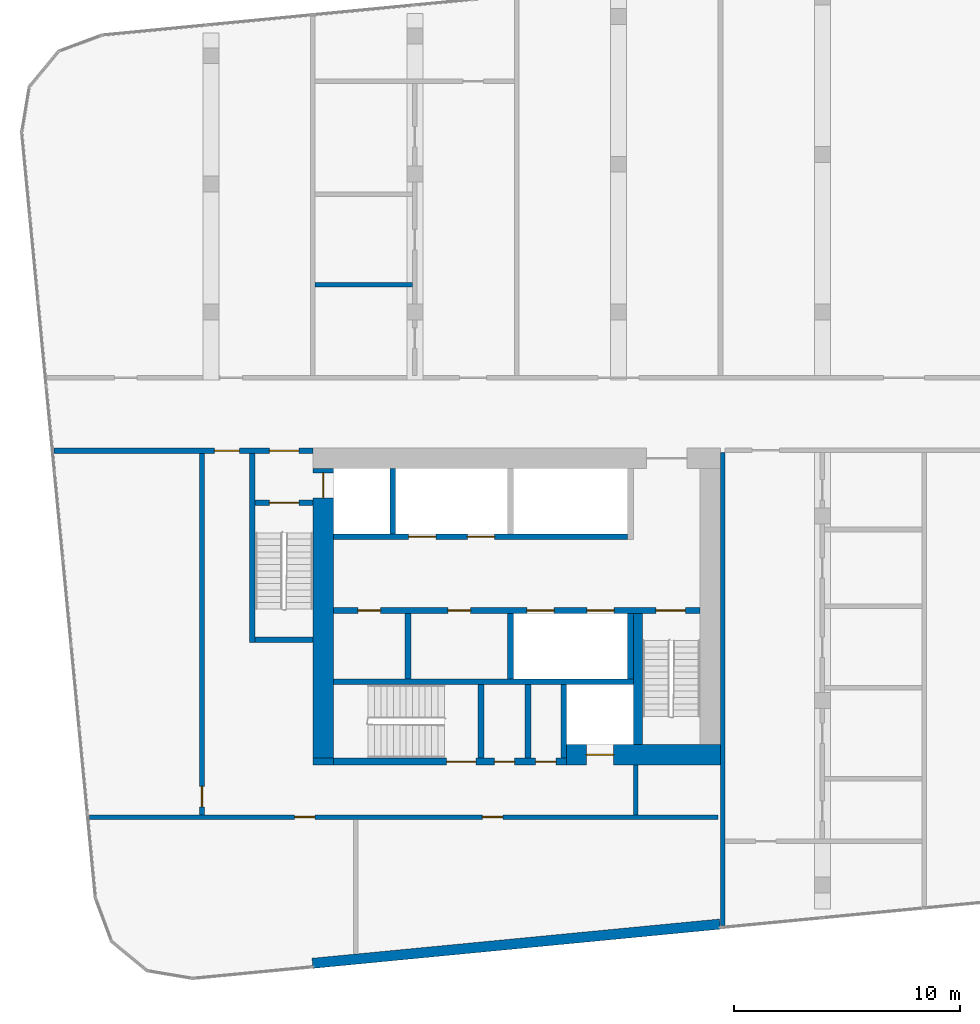
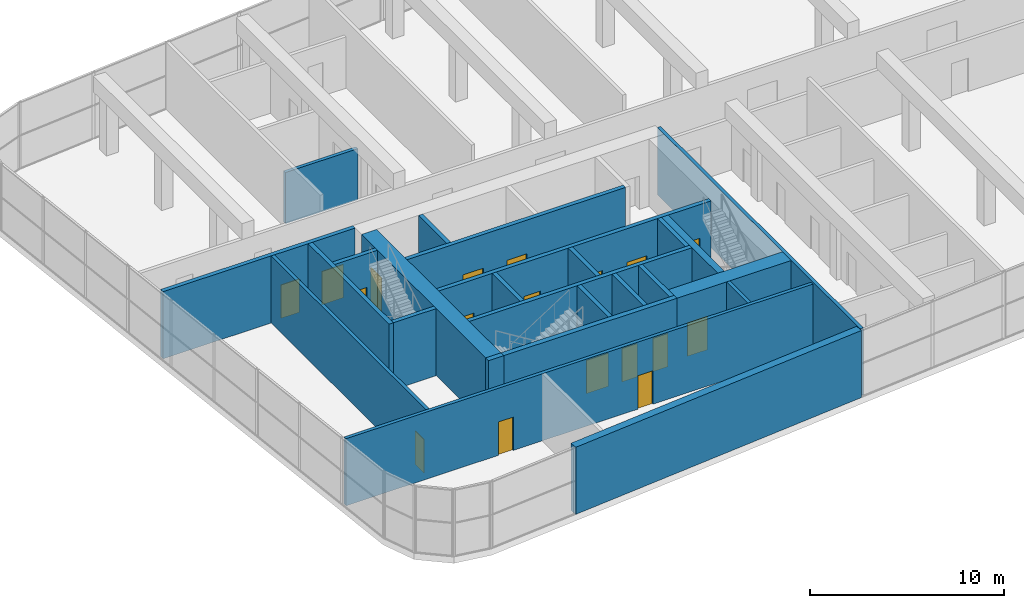
# One storey, part 13 of 21: 25 walls, 18 doors, 18 openings.
"""IFC4 building model written with IfcOpenShell, lengths in metres."""

from ifc_helpers import new_model, si_unit, direction, frame, frame_2d, origin, place, context, subcontext, project, spatial, rectangle, extrude, material, layer, layer_set, type_object, element, fill, save


model = new_model("IFC4")

# Units and contexts
model_context = context("Model", 3, precision=1e-05, world=origin(), true_north=direction((0.0, 1.0)))
body_context = subcontext(model_context, "Body", "Model", "MODEL_VIEW")
ifc_project = project(units=[si_unit("LENGTHUNIT", "METRE"), si_unit("AREAUNIT", "SQUARE_METRE"), si_unit("VOLUMEUNIT", "CUBIC_METRE"), si_unit("PLANEANGLEUNIT", "RADIAN"), si_unit("MASSUNIT", "GRAM", prefix="KILO")], contexts=[model_context])

# Site, building, storey
site_placement = place(None, origin())
site = spatial("IfcSite", under=ifc_project, at=site_placement, CompositionType="ELEMENT")
building_placement = place(site_placement, origin())
building = spatial("IfcBuilding", under=site, at=building_placement, Name="Kajstack Hotel Tower", CompositionType="ELEMENT")
storey_placement = place(building_placement, frame((0.0, 0.0, 162.39990234375)))
storey = spatial("IfcBuildingStorey", under=building, at=storey_placement, Name="L37", CompositionType="ELEMENT", Elevation=162.39990234375)

# Wall, opening, door
ifc_material_1 = material(Name="Concrete C60/75", Category="concrete")
ifc_layer_1 = layer(ifc_material_1, 0.89990234375)
ifc_layer_set_1 = layer_set([ifc_layer_1], Name="Core wall 900")
wall_type_1 = type_object("IfcWallType", Name="Core wall 900", PredefinedType="SHEAR", material=ifc_layer_set_1)
wall_1_placement = place(storey_placement, frame((-20.300048828125, -15.050048828125, 0.0), z_axis=(0.0, 0.0, 1.0), x_axis=(1.0, 0.0, 0.0)))
wall_1 = element("IfcWall", 1, at=wall_1_placement, inside=storey, type_object=wall_type_1, Name="Core wall W RS", PredefinedType="SHEAR", context=body_context, shape_type="SweptSolid", body=[
    extrude(rectangle(XDim=6.800048828125, YDim=0.89990234375, at=frame_2d((3.39990234375, 0.0))), origin(), (0.0, 0.0, 1.0), 4.22021484375),
])
opening_1_placement = place(wall_1_placement, frame((0.875, 0.0, 0.0)))
opening_1 = element("IfcOpeningElement", 2, at=opening_1_placement, cuts=wall_1, Name="Opening LD-SV1", PredefinedType="OPENING", context=body_context, shape_type="SweptSolid", body=[
    extrude(rectangle(XDim=1.199951171875, YDim=2.10009765625, at=frame_2d((0.60009765625, 1.050048828125))), frame((0.0, 0.4599609375, 0.0), z_axis=(0.0, -1.0, 0.0), x_axis=(1.0, 0.0, 0.0)), (0.0, 0.0, 1.0), 0.919921875),
])
ifc_material_2 = material(Name="Stainless steel", Category="steel")
door_type_1 = type_object("IfcDoorType", Name="Lift landing door 1200", OperationType="SLIDING_TO_LEFT", PredefinedType="DOOR", material=ifc_material_2)
door_1_placement = place(opening_1_placement, origin())
door_1 = element("IfcDoor", 3, at=door_1_placement, inside=storey, type_object=door_type_1, Name="Landing door SV1", OperationType="SLIDING_TO_LEFT", OverallHeight=2.10009765625, OverallWidth=1.199951171875, PredefinedType="DOOR", context=body_context, shape_type="SweptSolid", body=[
    extrude(rectangle(XDim=1.199951171875, YDim=2.10009765625, at=frame_2d((0.60009765625, 1.050048828125))), frame((0.0, 0.02490234375, 0.0), z_axis=(0.0, -1.0, 0.0), x_axis=(1.0, 0.0, 0.0)), (0.0, 0.0, 1.0), 0.050048828125),
])
fill(opening_1, door_1)

# Wall
wall_2_placement = place(storey_placement, frame((-31.5, -15.35009765625, 0.0), z_axis=(0.0, 0.0, 1.0), x_axis=(1.0, 0.0, 0.0)))
element("IfcWall", 4, at=wall_2_placement, inside=storey, type_object=wall_type_1, Name="Core wall W RSW", PredefinedType="SHEAR", context=body_context, shape_type="SweptSolid", body=[
    extrude(rectangle(XDim=0.89990234375, YDim=0.300048828125, at=frame_2d((0.449951171875, 0.0))), origin(), (0.0, 0.0, 1.0), 4.22021484375),
])

# Wall, opening, door
wall_3_placement = place(storey_placement, frame((-31.050048828125, -15.199951171875, 0.0), z_axis=(0.0, 0.0, 1.0), x_axis=(0.0, 1.0, 0.0)))
wall_3 = element("IfcWall", 5, at=wall_3_placement, inside=storey, type_object=wall_type_1, Name="Core wall W RW", PredefinedType="SHEAR", context=body_context, shape_type="SweptSolid", body=[
    extrude(rectangle(XDim=12.800048828125, YDim=0.89990234375, at=frame_2d((6.39990234375, 0.0))), origin(), (0.0, 0.0, 1.0), 4.22021484375),
])
opening_2_placement = place(wall_3_placement, frame((11.5, 0.0, 0.0)))
opening_2 = element("IfcOpeningElement", 6, at=opening_2_placement, cuts=wall_3, Name="Opening LD-FF1", PredefinedType="OPENING", context=body_context, shape_type="SweptSolid", body=[
    extrude(rectangle(XDim=1.10009765625, YDim=2.10009765625, at=frame_2d((0.550048828125, 1.050048828125))), frame((0.0, 0.4599609375, 0.0), z_axis=(0.0, -1.0, 0.0), x_axis=(1.0, 0.0, 0.0)), (0.0, 0.0, 1.0), 0.919921875),
])
door_type_2 = type_object("IfcDoorType", Name="Fire-fighting lift landing door 1100", OperationType="SLIDING_TO_LEFT", PredefinedType="DOOR", material=ifc_material_2)
door_2_placement = place(opening_2_placement, origin())
door_2 = element("IfcDoor", 7, at=door_2_placement, inside=storey, type_object=door_type_2, Name="Landing door FF1", OperationType="SLIDING_TO_RIGHT", OverallHeight=2.10009765625, OverallWidth=1.10009765625, PredefinedType="DOOR", context=body_context, shape_type="SweptSolid", body=[
    extrude(rectangle(XDim=1.10009765625, YDim=2.10009765625, at=frame_2d((0.550048828125, 1.050048828125))), frame((0.0, 0.02490234375, 0.0), z_axis=(0.0, -1.0, 0.0), x_axis=(1.0, 0.0, 0.0)), (0.0, 0.0, 1.0), 0.050048828125),
])
fill(opening_2, door_2)

# Walls
ifc_material_3 = material(Name="Concrete C40/50", Category="concrete")
ifc_layer_2 = layer(ifc_material_3, 0.449951171875)
ifc_layer_set_2 = layer_set([ifc_layer_2], Name="EW-CORE")
wall_type_2 = type_object("IfcWallType", Name="EW-CORE", PredefinedType="SOLIDWALL", material=ifc_layer_set_2)
wall_4_placement = place(storey_placement, frame((-31.521484375, -24.26171875, 0.0), z_axis=(0.0, 0.0, 1.0), x_axis=(0.995396454615, 0.095843091245, 0.0)))
element("IfcWall", 8, at=wall_4_placement, inside=storey, type_object=wall_type_2, Name="E-wall-L37-04-01", PredefinedType="SOLIDWALL", context=body_context, shape_type="SweptSolid", body=[
    extrude(rectangle(XDim=18.083251953125, YDim=0.449951171875, at=frame_2d((9.04150390625, 0.0))), origin(), (0.0, 0.0, 1.0), 4.22021484375),
])
ifc_material_4 = material(Name="Concrete C50/60", Category="concrete")
ifc_layer_3 = layer(ifc_material_4, 0.300048828125)
ifc_layer_set_3 = layer_set([ifc_layer_3], Name="Hoistway divider wall 300")
wall_type_3 = type_object("IfcWallType", Name="Hoistway divider wall 300", PredefinedType="SHEAR", material=ifc_layer_set_3)
wall_5_placement = place(storey_placement, frame((-22.77490234375, -11.699951171875, 0.0), z_axis=(0.0, 0.0, 1.0), x_axis=(0.0, 1.0, 0.0)))
element("IfcWall", 9, at=wall_5_placement, inside=storey, type_object=wall_type_3, Name="Core wall W BP2", PredefinedType="SHEAR", context=body_context, shape_type="SweptSolid", body=[
    extrude(rectangle(XDim=2.89990234375, YDim=0.25, at=frame_2d((1.449951171875, 0.0))), origin(), (0.0, 0.0, 1.0), 4.22021484375),
])
ifc_material_5 = material(Name="Gypsum board on steel studs, mineral wool", Category="steel")
ifc_layer_4 = layer(ifc_material_5, 0.199951171875)
ifc_layer_set_4 = layer_set([ifc_layer_4], Name="Public partition 200")
wall_type_4 = type_object("IfcWallType", Name="Public partition 200", PredefinedType="PARTITIONING", material=ifc_layer_set_4)
wall_6_placement = place(storey_placement, frame((-31.39990234375, 5.699951171875, 0.0), z_axis=(0.0, 0.0, 1.0), x_axis=(1.0, 0.0, 0.0)))
element("IfcWall", 10, at=wall_6_placement, inside=storey, type_object=wall_type_4, Name="Partition C2wP0", PredefinedType="PARTITIONING", context=body_context, shape_type="SweptSolid", body=[
    extrude(rectangle(XDim=4.2998046875, YDim=0.199951171875, at=frame_2d((2.14990234375, 0.0))), origin(), (0.0, 0.0, 1.0), 3.22021484375),
])
wall_7_placement = place(storey_placement, frame((-13.39990234375, -22.59228515625, 0.0), z_axis=(0.0, 0.0, 1.0), x_axis=(0.0, 1.0, 0.0)))
element("IfcWall", 11, at=wall_7_placement, inside=storey, type_object=wall_type_4, Name="Partition SEW", PredefinedType="PARTITIONING", context=body_context, shape_type="SweptSolid", body=[
    extrude(rectangle(XDim=20.892333984375, YDim=0.199951171875, at=frame_2d((10.4462890625, 0.0))), origin(), (0.0, 0.0, 1.0), 4.22021484375),
])
ifc_material_6 = material(Name="Concrete block masonry", Category="masonry")
ifc_layer_5 = layer(ifc_material_6, 0.25)
ifc_layer_set_5 = layer_set([ifc_layer_5], Name="Riser partition 250")
wall_type_5 = type_object("IfcWallType", Name="Riser partition 250", PredefinedType="PARTITIONING", material=ifc_layer_set_5)
wall_8_placement = place(storey_placement, frame((-27.300048828125, -11.699951171875, 0.0), z_axis=(0.0, 0.0, 1.0), x_axis=(0.0, 1.0, 0.0)))
element("IfcWall", 12, at=wall_8_placement, inside=storey, type_object=wall_type_5, Name="Partition W BF0", PredefinedType="PARTITIONING", context=body_context, shape_type="SweptSolid", body=[
    extrude(rectangle(XDim=2.89990234375, YDim=0.25, at=frame_2d((1.449951171875, 0.0))), origin(), (0.0, 0.0, 1.0), 4.22021484375),
])
wall_9_placement = place(storey_placement, frame((-22.0, -15.199951171875, 0.0), z_axis=(0.0, 0.0, 1.0), x_axis=(0.0, 1.0, 0.0)))
element("IfcWall", 13, at=wall_9_placement, inside=storey, type_object=wall_type_5, Name="Partition W SZ0", PredefinedType="PARTITIONING", context=body_context, shape_type="SweptSolid", body=[
    extrude(rectangle(XDim=3.25, YDim=0.25, at=frame_2d((1.625, 0.0))), origin(), (0.0, 0.0, 1.0), 4.22021484375),
])

# Wall, openings, doors
ifc_layer_6 = layer(ifc_material_5, 0.199951171875)
ifc_layer_set_6 = layer_set([ifc_layer_6], Name="Service partition 200")
wall_type_6 = type_object("IfcWallType", Name="Service partition 200", PredefinedType="PARTITIONING", material=ifc_layer_set_6)
wall_10_placement = place(storey_placement, frame((-42.932861328125, -1.625, 0.0), z_axis=(0.0, 0.0, 1.0), x_axis=(1.0, 0.0, 0.0)))
wall_10 = element("IfcWall", 14, at=wall_10_placement, inside=storey, type_object=wall_type_6, Name="Partition W SN", PredefinedType="PARTITIONING", context=body_context, shape_type="SweptSolid", body=[
    extrude(rectangle(XDim=11.432861328125, YDim=0.25, at=frame_2d((5.71630859375, 0.0))), origin(), (0.0, 0.0, 1.0), 4.22021484375),
])
opening_3_placement = place(wall_10_placement, frame((9.5078125, 0.0, 0.0)))
opening_3 = element("IfcOpeningElement", 15, at=opening_3_placement, cuts=wall_10, Name="Opening 37W08", PredefinedType="OPENING", context=body_context, shape_type="SweptSolid", body=[
    extrude(rectangle(XDim=1.300048828125, YDim=2.10009765625, at=frame_2d((0.64990234375, 1.050048828125))), frame((0.0, 0.135009765625, 0.0), z_axis=(0.0, -1.0, 0.0), x_axis=(1.0, 0.0, 0.0)), (0.0, 0.0, 1.0), 0.27001953125),
])
opening_4_placement = place(wall_10_placement, frame((7.0830078125, 0.0, 0.0)))
opening_4 = element("IfcOpeningElement", 16, at=opening_4_placement, cuts=wall_10, Name="Opening 37W10", PredefinedType="OPENING", context=body_context, shape_type="SweptSolid", body=[
    extrude(rectangle(XDim=1.10009765625, YDim=2.10009765625, at=frame_2d((0.550048828125, 1.050048828125))), frame((0.0, 0.135009765625, 0.0), z_axis=(0.0, -1.0, 0.0), x_axis=(1.0, 0.0, 0.0)), (0.0, 0.0, 1.0), 0.27001953125),
])
ifc_material_7 = material(Name="Steel leaf, fire-rated", Category="steel")
door_type_3 = type_object("IfcDoorType", Name="Fire lobby door 1300", OperationType="SINGLE_SWING_LEFT", PredefinedType="DOOR", material=ifc_material_7)
door_3_placement = place(opening_3_placement, origin())
door_3 = element("IfcDoor", 17, at=door_3_placement, inside=storey, type_object=door_type_3, Name="Door 37W08", OperationType="SINGLE_SWING_RIGHT", OverallHeight=2.10009765625, OverallWidth=1.300048828125, PredefinedType="DOOR", context=body_context, shape_type="SweptSolid", body=[
    extrude(rectangle(XDim=1.300048828125, YDim=2.10009765625, at=frame_2d((0.64990234375, 1.050048828125))), frame((0.0, 0.02490234375, 0.0), z_axis=(0.0, -1.0, 0.0), x_axis=(1.0, 0.0, 0.0)), (0.0, 0.0, 1.0), 0.050048828125),
])
fill(opening_3, door_3)
ifc_material_8 = material(Name="Timber leaf, fire-rated", Category="wood")
door_type_4 = type_object("IfcDoorType", Name="Service corridor door 1100", OperationType="SINGLE_SWING_LEFT", PredefinedType="DOOR", material=ifc_material_8)
door_4_placement = place(opening_4_placement, origin())
door_4 = element("IfcDoor", 18, at=door_4_placement, inside=storey, type_object=door_type_4, Name="Door 37W10", OperationType="SINGLE_SWING_RIGHT", OverallHeight=2.10009765625, OverallWidth=1.10009765625, PredefinedType="DOOR", context=body_context, shape_type="SweptSolid", body=[
    extrude(rectangle(XDim=1.10009765625, YDim=2.10009765625, at=frame_2d((0.550048828125, 1.050048828125))), frame((0.0, 0.02490234375, 0.0), z_axis=(0.0, -1.0, 0.0), x_axis=(1.0, 0.0, 0.0)), (0.0, 0.0, 1.0), 0.050048828125),
])
fill(opening_4, door_4)

# Wall
wall_11_placement = place(storey_placement, frame((-17.25, -17.699951171875, 0.0), z_axis=(0.0, 0.0, 1.0), x_axis=(0.0, 1.0, 0.0)))
element("IfcWall", 19, at=wall_11_placement, inside=storey, type_object=wall_type_6, Name="Partition W SCE", PredefinedType="PARTITIONING", context=body_context, shape_type="SweptSolid", body=[
    extrude(rectangle(XDim=2.199951171875, YDim=0.199951171875, at=frame_2d((1.10009765625, 0.0))), origin(), (0.0, 0.0, 1.0), 4.22021484375),
])

# Wall, opening, door
wall_12_placement = place(storey_placement, frame((-36.39990234375, -17.699951171875, 0.0), z_axis=(0.0, 0.0, 1.0), x_axis=(0.0, 1.0, 0.0)))
wall_12 = element("IfcWall", 20, at=wall_12_placement, inside=storey, type_object=wall_type_6, Name="Partition W WRE", PredefinedType="PARTITIONING", context=body_context, shape_type="SweptSolid", body=[
    extrude(rectangle(XDim=15.949951171875, YDim=0.199951171875, at=frame_2d((7.97509765625, 0.0))), origin(), (0.0, 0.0, 1.0), 4.22021484375),
])
opening_5_placement = place(wall_12_placement, frame((0.35009765625, 0.0, 0.0)))
opening_5 = element("IfcOpeningElement", 21, at=opening_5_placement, cuts=wall_12, Name="Opening 37W19", PredefinedType="OPENING", context=body_context, shape_type="SweptSolid", body=[
    extrude(rectangle(XDim=0.89990234375, YDim=2.10009765625, at=frame_2d((0.449951171875, 1.050048828125))), frame((0.0, 0.10986328125, 0.0), z_axis=(0.0, -1.0, 0.0), x_axis=(1.0, 0.0, 0.0)), (0.0, 0.0, 1.0), 0.219970703125),
])
door_type_5 = type_object("IfcDoorType", Name="Service door 900", OperationType="SINGLE_SWING_LEFT", PredefinedType="DOOR", material=ifc_material_8)
door_5_placement = place(opening_5_placement, origin())
door_5 = element("IfcDoor", 22, at=door_5_placement, inside=storey, type_object=door_type_5, Name="Door 37W19", OperationType="SINGLE_SWING_LEFT", OverallHeight=2.10009765625, OverallWidth=0.89990234375, PredefinedType="DOOR", context=body_context, shape_type="SweptSolid", body=[
    extrude(rectangle(XDim=0.89990234375, YDim=2.10009765625, at=frame_2d((0.449951171875, 1.050048828125))), frame((0.0, 0.02490234375, 0.0), z_axis=(0.0, -1.0, 0.0), x_axis=(1.0, 0.0, 0.0)), (0.0, 0.0, 1.0), 0.050048828125),
])
fill(opening_5, door_5)

# Wall, openings, doors
wall_13_placement = place(storey_placement, frame((-41.37548828125, -17.800048828125, 0.0), z_axis=(0.0, 0.0, 1.0), x_axis=(1.0, 0.0, 0.0)))
wall_13 = element("IfcWall", 23, at=wall_13_placement, inside=storey, type_object=wall_type_6, Name="Partition W SLN", PredefinedType="PARTITIONING", context=body_context, shape_type="SweptSolid", body=[
    extrude(rectangle(XDim=27.775390625, YDim=0.199951171875, at=frame_2d((13.8876953125, 0.0))), origin(), (0.0, 0.0, 1.0), 4.22021484375),
])
opening_6_placement = place(wall_13_placement, frame((9.06298828125, 0.0, 0.0)))
opening_6 = element("IfcOpeningElement", 24, at=opening_6_placement, cuts=wall_13, Name="Opening 37W17", PredefinedType="OPENING", context=body_context, shape_type="SweptSolid", body=[
    extrude(rectangle(XDim=0.89990234375, YDim=2.10009765625, at=frame_2d((0.449951171875, 1.050048828125))), frame((0.0, 0.10986328125, 0.0), z_axis=(0.0, -1.0, 0.0), x_axis=(1.0, 0.0, 0.0)), (0.0, 0.0, 1.0), 0.219970703125),
])
opening_7_placement = place(wall_13_placement, frame((17.363037109375, 0.0, 0.0)))
opening_7 = element("IfcOpeningElement", 25, at=opening_7_placement, cuts=wall_13, Name="Opening 37W18", PredefinedType="OPENING", context=body_context, shape_type="SweptSolid", body=[
    extrude(rectangle(XDim=0.89990234375, YDim=2.10009765625, at=frame_2d((0.449951171875, 1.050048828125))), frame((0.0, 0.10986328125, 0.0), z_axis=(0.0, -1.0, 0.0), x_axis=(1.0, 0.0, 0.0)), (0.0, 0.0, 1.0), 0.219970703125),
])
door_6_placement = place(opening_6_placement, origin())
door_6 = element("IfcDoor", 26, at=door_6_placement, inside=storey, type_object=door_type_5, Name="Door 37W17", OperationType="SINGLE_SWING_RIGHT", OverallHeight=2.10009765625, OverallWidth=0.89990234375, PredefinedType="DOOR", context=body_context, shape_type="SweptSolid", body=[
    extrude(rectangle(XDim=0.89990234375, YDim=2.10009765625, at=frame_2d((0.449951171875, 1.050048828125))), frame((0.0, 0.02490234375, 0.0), z_axis=(0.0, -1.0, 0.0), x_axis=(1.0, 0.0, 0.0)), (0.0, 0.0, 1.0), 0.050048828125),
])
fill(opening_6, door_6)
door_7_placement = place(opening_7_placement, origin())
door_7 = element("IfcDoor", 27, at=door_7_placement, inside=storey, type_object=door_type_5, Name="Door 37W18", OperationType="SINGLE_SWING_RIGHT", OverallHeight=2.10009765625, OverallWidth=0.89990234375, PredefinedType="DOOR", context=body_context, shape_type="SweptSolid", body=[
    extrude(rectangle(XDim=0.89990234375, YDim=2.10009765625, at=frame_2d((0.449951171875, 1.050048828125))), frame((0.0, 0.02490234375, 0.0), z_axis=(0.0, -1.0, 0.0), x_axis=(1.0, 0.0, 0.0)), (0.0, 0.0, 1.0), 0.050048828125),
])
fill(opening_7, door_7)

ifc_layer_7 = layer(ifc_material_4, 0.25)
ifc_layer_set_7 = layer_set([ifc_layer_7], Name="Shaft wall 250")
wall_type_7 = type_object("IfcWallType", Name="Shaft wall 250", PredefinedType="SHEAR", material=ifc_layer_set_7)
wall_14_placement = place(storey_placement, frame((-30.60009765625, -15.35009765625, 0.0), z_axis=(0.0, 0.0, 1.0), x_axis=(1.0, 0.0, 0.0)))
wall_14 = element("IfcWall", 28, at=wall_14_placement, inside=storey, type_object=wall_type_7, Name="Core wall W RSS", PredefinedType="SHEAR", context=body_context, shape_type="SweptSolid", body=[
    extrude(rectangle(XDim=10.300048828125, YDim=0.300048828125, at=frame_2d((5.14990234375, 0.0))), origin(), (0.0, 0.0, 1.0), 4.22021484375),
])
opening_8_placement = place(wall_14_placement, frame((5.0, 0.0, 0.0)))
opening_8 = element("IfcOpeningElement", 29, at=opening_8_placement, cuts=wall_14, Name="Opening 37W12", PredefinedType="OPENING", context=body_context, shape_type="SweptSolid", body=[
    extrude(rectangle(XDim=1.300048828125, YDim=2.10009765625, at=frame_2d((0.64990234375, 1.050048828125))), frame((0.0, 0.159912109375, 0.0), z_axis=(0.0, -1.0, 0.0), x_axis=(1.0, 0.0, 0.0)), (0.0, 0.0, 1.0), 0.320068359375),
])
opening_9_placement = place(wall_14_placement, frame((7.112548828125, 0.0, 0.0)))
opening_9 = element("IfcOpeningElement", 30, at=opening_9_placement, cuts=wall_14, Name="Opening 37W13", PredefinedType="OPENING", context=body_context, shape_type="SweptSolid", body=[
    extrude(rectangle(XDim=0.89990234375, YDim=2.10009765625, at=frame_2d((0.449951171875, 1.050048828125))), frame((0.0, 0.159912109375, 0.0), z_axis=(0.0, -1.0, 0.0), x_axis=(1.0, 0.0, 0.0)), (0.0, 0.0, 1.0), 0.320068359375),
])
opening_10_placement = place(wall_14_placement, frame((8.9375, 0.0, 0.0)))
opening_10 = element("IfcOpeningElement", 31, at=opening_10_placement, cuts=wall_14, Name="Opening 37W14", PredefinedType="OPENING", context=body_context, shape_type="SweptSolid", body=[
    extrude(rectangle(XDim=0.89990234375, YDim=2.10009765625, at=frame_2d((0.449951171875, 1.050048828125))), frame((0.0, 0.159912109375, 0.0), z_axis=(0.0, -1.0, 0.0), x_axis=(1.0, 0.0, 0.0)), (0.0, 0.0, 1.0), 0.320068359375),
])
door_8_placement = place(opening_9_placement, origin())
door_8 = element("IfcDoor", 32, at=door_8_placement, inside=storey, type_object=door_type_5, Name="Door 37W13", OperationType="SINGLE_SWING_LEFT", OverallHeight=2.10009765625, OverallWidth=0.89990234375, PredefinedType="DOOR", context=body_context, shape_type="SweptSolid", body=[
    extrude(rectangle(XDim=0.89990234375, YDim=2.10009765625, at=frame_2d((0.449951171875, 1.050048828125))), frame((0.0, 0.02490234375, 0.0), z_axis=(0.0, -1.0, 0.0), x_axis=(1.0, 0.0, 0.0)), (0.0, 0.0, 1.0), 0.050048828125),
])
fill(opening_9, door_8)
door_9_placement = place(opening_10_placement, origin())
door_9 = element("IfcDoor", 33, at=door_9_placement, inside=storey, type_object=door_type_5, Name="Door 37W14", OperationType="SINGLE_SWING_LEFT", OverallHeight=2.10009765625, OverallWidth=0.89990234375, PredefinedType="DOOR", context=body_context, shape_type="SweptSolid", body=[
    extrude(rectangle(XDim=0.89990234375, YDim=2.10009765625, at=frame_2d((0.449951171875, 1.050048828125))), frame((0.0, 0.02490234375, 0.0), z_axis=(0.0, -1.0, 0.0), x_axis=(1.0, 0.0, 0.0)), (0.0, 0.0, 1.0), 0.050048828125),
])
fill(opening_10, door_9)
door_type_6 = type_object("IfcDoorType", Name="Stair door 1300", OperationType="SINGLE_SWING_LEFT", PredefinedType="DOOR", material=ifc_material_7)
door_10_placement = place(opening_8_placement, origin())
door_10 = element("IfcDoor", 34, at=door_10_placement, inside=storey, type_object=door_type_6, Name="Door 37W12", OperationType="SINGLE_SWING_RIGHT", OverallHeight=2.10009765625, OverallWidth=1.300048828125, PredefinedType="DOOR", context=body_context, shape_type="SweptSolid", body=[
    extrude(rectangle(XDim=1.300048828125, YDim=2.10009765625, at=frame_2d((0.64990234375, 1.050048828125))), frame((0.0, 0.02490234375, 0.0), z_axis=(0.0, -1.0, 0.0), x_axis=(1.0, 0.0, 0.0)), (0.0, 0.0, 1.0), 0.050048828125),
])
fill(opening_8, door_10)

wall_15_placement = place(storey_placement, frame((-30.60009765625, -5.425048828125, 0.0), z_axis=(0.0, 0.0, 1.0), x_axis=(1.0, 0.0, 0.0)))
wall_15 = element("IfcWall", 35, at=wall_15_placement, inside=storey, type_object=wall_type_7, Name="Core wall W FA", PredefinedType="SHEAR", context=body_context, shape_type="SweptSolid", body=[
    extrude(rectangle(XDim=13.0, YDim=0.25, at=frame_2d((6.5, 0.0))), origin(), (0.0, 0.0, 1.0), 4.22021484375),
])
opening_11_placement = place(wall_15_placement, frame((3.324951171875, 0.0, 0.0)))
opening_11 = element("IfcOpeningElement", 36, at=opening_11_placement, cuts=wall_15, Name="Opening LD-MR3", PredefinedType="OPENING", context=body_context, shape_type="SweptSolid", body=[
    extrude(rectangle(XDim=1.199951171875, YDim=2.10009765625, at=frame_2d((0.60009765625, 1.050048828125))), frame((0.0, 0.135009765625, 0.0), z_axis=(0.0, -1.0, 0.0), x_axis=(1.0, 0.0, 0.0)), (0.0, 0.0, 1.0), 0.27001953125),
])
opening_12_placement = place(wall_15_placement, frame((5.925048828125, 0.0, 0.0)))
opening_12 = element("IfcOpeningElement", 37, at=opening_12_placement, cuts=wall_15, Name="Opening LD-MR4", PredefinedType="OPENING", context=body_context, shape_type="SweptSolid", body=[
    extrude(rectangle(XDim=1.199951171875, YDim=2.10009765625, at=frame_2d((0.60009765625, 1.050048828125))), frame((0.0, 0.135009765625, 0.0), z_axis=(0.0, -1.0, 0.0), x_axis=(1.0, 0.0, 0.0)), (0.0, 0.0, 1.0), 0.27001953125),
])
door_11_placement = place(opening_11_placement, origin())
door_11 = element("IfcDoor", 38, at=door_11_placement, inside=storey, type_object=door_type_1, Name="Landing door MR3", OperationType="SLIDING_TO_RIGHT", OverallHeight=2.10009765625, OverallWidth=1.199951171875, PredefinedType="DOOR", context=body_context, shape_type="SweptSolid", body=[
    extrude(rectangle(XDim=1.199951171875, YDim=2.10009765625, at=frame_2d((0.60009765625, 1.050048828125))), frame((0.0, 0.02490234375, 0.0), z_axis=(0.0, -1.0, 0.0), x_axis=(1.0, 0.0, 0.0)), (0.0, 0.0, 1.0), 0.050048828125),
])
fill(opening_11, door_11)
door_12_placement = place(opening_12_placement, origin())
door_12 = element("IfcDoor", 39, at=door_12_placement, inside=storey, type_object=door_type_1, Name="Landing door MR4", OperationType="SLIDING_TO_RIGHT", OverallHeight=2.10009765625, OverallWidth=1.199951171875, PredefinedType="DOOR", context=body_context, shape_type="SweptSolid", body=[
    extrude(rectangle(XDim=1.199951171875, YDim=2.10009765625, at=frame_2d((0.60009765625, 1.050048828125))), frame((0.0, 0.02490234375, 0.0), z_axis=(0.0, -1.0, 0.0), x_axis=(1.0, 0.0, 0.0)), (0.0, 0.0, 1.0), 0.050048828125),
])
fill(opening_12, door_12)

# Wall
wall_16_placement = place(storey_placement, frame((-27.97509765625, -5.300048828125, 0.0), z_axis=(0.0, 0.0, 1.0), x_axis=(0.0, 1.0, 0.0)))
element("IfcWall", 40, at=wall_16_placement, inside=storey, type_object=wall_type_7, Name="Core wall W AP0", PredefinedType="SHEAR", context=body_context, shape_type="SweptSolid", body=[
    extrude(rectangle(XDim=2.900146484375, YDim=0.25, at=frame_2d((1.4501953125, 0.0))), origin(), (0.0, 0.0, 1.0), 4.22021484375),
])

# Wall, openings, doors
wall_17_placement = place(storey_placement, frame((-30.60009765625, -8.675048828125, 0.0), z_axis=(0.0, 0.0, 1.0), x_axis=(1.0, 0.0, 0.0)))
wall_17 = element("IfcWall", 41, at=wall_17_placement, inside=storey, type_object=wall_type_7, Name="Core wall W FB", PredefinedType="SHEAR", context=body_context, shape_type="SweptSolid", body=[
    extrude(rectangle(XDim=16.2001953125, YDim=0.25, at=frame_2d((8.10009765625, 0.0))), origin(), (0.0, 0.0, 1.0), 4.22021484375),
])
opening_13_placement = place(wall_17_placement, frame((8.550048828125, 0.0, 0.0)))
opening_13 = element("IfcOpeningElement", 42, at=opening_13_placement, cuts=wall_17, Name="Opening LD-MR1", PredefinedType="OPENING", context=body_context, shape_type="SweptSolid", body=[
    extrude(rectangle(XDim=1.199951171875, YDim=2.10009765625, at=frame_2d((0.60009765625, 1.050048828125))), frame((0.0, 0.135009765625, 0.0), z_axis=(0.0, -1.0, 0.0), x_axis=(1.0, 0.0, 0.0)), (0.0, 0.0, 1.0), 0.27001953125),
])
opening_14_placement = place(wall_17_placement, frame((11.199951171875, 0.0, 0.0)))
opening_14 = element("IfcOpeningElement", 43, at=opening_14_placement, cuts=wall_17, Name="Opening LD-MR2", PredefinedType="OPENING", context=body_context, shape_type="SweptSolid", body=[
    extrude(rectangle(XDim=1.199951171875, YDim=2.10009765625, at=frame_2d((0.60009765625, 1.050048828125))), frame((0.0, 0.135009765625, 0.0), z_axis=(0.0, -1.0, 0.0), x_axis=(1.0, 0.0, 0.0)), (0.0, 0.0, 1.0), 0.27001953125),
])
opening_15_placement = place(wall_17_placement, frame((14.25, 0.0, 0.0)))
opening_15 = element("IfcOpeningElement", 44, at=opening_15_placement, cuts=wall_17, Name="Opening 37W11", PredefinedType="OPENING", context=body_context, shape_type="SweptSolid", body=[
    extrude(rectangle(XDim=1.300048828125, YDim=2.10009765625, at=frame_2d((0.64990234375, 1.050048828125))), frame((0.0, 0.135009765625, 0.0), z_axis=(0.0, -1.0, 0.0), x_axis=(1.0, 0.0, 0.0)), (0.0, 0.0, 1.0), 0.27001953125),
])
opening_16_placement = place(wall_17_placement, frame((1.08740234375, 0.0, 0.0)))
opening_16 = element("IfcOpeningElement", 45, at=opening_16_placement, cuts=wall_17, Name="Opening 37W15", PredefinedType="OPENING", context=body_context, shape_type="SweptSolid", body=[
    extrude(rectangle(XDim=1.0, YDim=2.10009765625, at=frame_2d((0.5, 1.050048828125))), frame((0.0, 0.135009765625, 0.0), z_axis=(0.0, -1.0, 0.0), x_axis=(1.0, 0.0, 0.0)), (0.0, 0.0, 1.0), 0.27001953125),
])
opening_17_placement = place(wall_17_placement, frame((5.0625, 0.0, 0.0)))
opening_17 = element("IfcOpeningElement", 46, at=opening_17_placement, cuts=wall_17, Name="Opening 37W16", PredefinedType="OPENING", context=body_context, shape_type="SweptSolid", body=[
    extrude(rectangle(XDim=1.0, YDim=2.10009765625, at=frame_2d((0.5, 1.050048828125))), frame((0.0, 0.135009765625, 0.0), z_axis=(0.0, -1.0, 0.0), x_axis=(1.0, 0.0, 0.0)), (0.0, 0.0, 1.0), 0.27001953125),
])
door_13_placement = place(opening_13_placement, origin())
door_13 = element("IfcDoor", 47, at=door_13_placement, inside=storey, type_object=door_type_1, Name="Landing door MR1", OperationType="SLIDING_TO_LEFT", OverallHeight=2.10009765625, OverallWidth=1.199951171875, PredefinedType="DOOR", context=body_context, shape_type="SweptSolid", body=[
    extrude(rectangle(XDim=1.199951171875, YDim=2.10009765625, at=frame_2d((0.60009765625, 1.050048828125))), frame((0.0, 0.02490234375, 0.0), z_axis=(0.0, -1.0, 0.0), x_axis=(1.0, 0.0, 0.0)), (0.0, 0.0, 1.0), 0.050048828125),
])
fill(opening_13, door_13)
door_14_placement = place(opening_14_placement, origin())
door_14 = element("IfcDoor", 48, at=door_14_placement, inside=storey, type_object=door_type_1, Name="Landing door MR2", OperationType="SLIDING_TO_RIGHT", OverallHeight=2.10009765625, OverallWidth=1.199951171875, PredefinedType="DOOR", context=body_context, shape_type="SweptSolid", body=[
    extrude(rectangle(XDim=1.199951171875, YDim=2.10009765625, at=frame_2d((0.60009765625, 1.050048828125))), frame((0.0, 0.02490234375, 0.0), z_axis=(0.0, -1.0, 0.0), x_axis=(1.0, 0.0, 0.0)), (0.0, 0.0, 1.0), 0.050048828125),
])
fill(opening_14, door_14)
door_type_7 = type_object("IfcDoorType", Name="Service room door 1000", OperationType="SINGLE_SWING_LEFT", PredefinedType="DOOR", material=ifc_material_8)
door_15_placement = place(opening_16_placement, origin())
door_15 = element("IfcDoor", 49, at=door_15_placement, inside=storey, type_object=door_type_7, Name="Door 37W15", OperationType="SINGLE_SWING_RIGHT", OverallHeight=2.10009765625, OverallWidth=1.0, PredefinedType="DOOR", context=body_context, shape_type="SweptSolid", body=[
    extrude(rectangle(XDim=1.0, YDim=2.10009765625, at=frame_2d((0.5, 1.050048828125))), frame((0.0, 0.02490234375, 0.0), z_axis=(0.0, -1.0, 0.0), x_axis=(1.0, 0.0, 0.0)), (0.0, 0.0, 1.0), 0.050048828125),
])
fill(opening_16, door_15)
door_16_placement = place(opening_17_placement, origin())
door_16 = element("IfcDoor", 50, at=door_16_placement, inside=storey, type_object=door_type_7, Name="Door 37W16", OperationType="SINGLE_SWING_RIGHT", OverallHeight=2.10009765625, OverallWidth=1.0, PredefinedType="DOOR", context=body_context, shape_type="SweptSolid", body=[
    extrude(rectangle(XDim=1.0, YDim=2.10009765625, at=frame_2d((0.5, 1.050048828125))), frame((0.0, 0.02490234375, 0.0), z_axis=(0.0, -1.0, 0.0), x_axis=(1.0, 0.0, 0.0)), (0.0, 0.0, 1.0), 0.050048828125),
])
fill(opening_17, door_16)
door_17_placement = place(opening_15_placement, origin())
door_17 = element("IfcDoor", 51, at=door_17_placement, inside=storey, type_object=door_type_6, Name="Door 37W11", OperationType="SINGLE_SWING_RIGHT", OverallHeight=2.10009765625, OverallWidth=1.300048828125, PredefinedType="DOOR", context=body_context, shape_type="SweptSolid", body=[
    extrude(rectangle(XDim=1.300048828125, YDim=2.10009765625, at=frame_2d((0.64990234375, 1.050048828125))), frame((0.0, 0.02490234375, 0.0), z_axis=(0.0, -1.0, 0.0), x_axis=(1.0, 0.0, 0.0)), (0.0, 0.0, 1.0), 0.050048828125),
])
fill(opening_15, door_17)

# Walls
wall_18_placement = place(storey_placement, frame((-30.60009765625, -11.824951171875, 0.0), z_axis=(0.0, 0.0, 1.0), x_axis=(1.0, 0.0, 0.0)))
element("IfcWall", 52, at=wall_18_placement, inside=storey, type_object=wall_type_7, Name="Core wall W RB", PredefinedType="SHEAR", context=body_context, shape_type="SweptSolid", body=[
    extrude(rectangle(XDim=13.25, YDim=0.25, at=frame_2d((6.625, 0.0))), origin(), (0.0, 0.0, 1.0), 4.22021484375),
])
wall_19_placement = place(storey_placement, frame((-17.47509765625, -11.699951171875, 0.0), z_axis=(0.0, 0.0, 1.0), x_axis=(0.0, 1.0, 0.0)))
element("IfcWall", 53, at=wall_19_placement, inside=storey, type_object=wall_type_7, Name="Core wall W BE", PredefinedType="SHEAR", context=body_context, shape_type="SweptSolid", body=[
    extrude(rectangle(XDim=2.89990234375, YDim=0.25, at=frame_2d((1.449951171875, 0.0))), origin(), (0.0, 0.0, 1.0), 4.22021484375),
])
wall_20_placement = place(storey_placement, frame((-20.425048828125, -15.199951171875, 0.0), z_axis=(0.0, 0.0, 1.0), x_axis=(0.0, 1.0, 0.0)))
element("IfcWall", 54, at=wall_20_placement, inside=storey, type_object=wall_type_7, Name="Core wall W SVW", PredefinedType="SHEAR", context=body_context, shape_type="SweptSolid", body=[
    extrude(rectangle(XDim=3.25, YDim=0.25, at=frame_2d((1.625, 0.0))), origin(), (0.0, 0.0, 1.0), 4.22021484375),
])

# Wall, opening, door
ifc_layer_8 = layer(ifc_material_3, 0.25)
ifc_layer_set_8 = layer_set([ifc_layer_8], Name="Stair enclosure wall 250")
wall_type_8 = type_object("IfcWallType", Name="Stair enclosure wall 250", PredefinedType="SHEAR", material=ifc_layer_set_8)
wall_21_placement = place(storey_placement, frame((-34.050048828125, -3.925048828125, 0.0), z_axis=(0.0, 0.0, 1.0), x_axis=(1.0, 0.0, 0.0)))
wall_21 = element("IfcWall", 55, at=wall_21_placement, inside=storey, type_object=wall_type_8, Name="Core wall W W1N", PredefinedType="SHEAR", context=body_context, shape_type="SweptSolid", body=[
    extrude(rectangle(XDim=2.550048828125, YDim=0.25, at=frame_2d((1.27490234375, 0.0))), origin(), (0.0, 0.0, 1.0), 4.22021484375),
])
opening_18_placement = place(wall_21_placement, frame((0.625, 0.0, 0.0)))
opening_18 = element("IfcOpeningElement", 56, at=opening_18_placement, cuts=wall_21, Name="Opening 37W09", PredefinedType="OPENING", context=body_context, shape_type="SweptSolid", body=[
    extrude(rectangle(XDim=1.300048828125, YDim=2.10009765625, at=frame_2d((0.64990234375, 1.050048828125))), frame((0.0, 0.135009765625, 0.0), z_axis=(0.0, -1.0, 0.0), x_axis=(1.0, 0.0, 0.0)), (0.0, 0.0, 1.0), 0.27001953125),
])
door_18_placement = place(opening_18_placement, origin())
door_18 = element("IfcDoor", 57, at=door_18_placement, inside=storey, type_object=door_type_6, Name="Door 37W09", OperationType="SINGLE_SWING_RIGHT", OverallHeight=2.10009765625, OverallWidth=1.300048828125, PredefinedType="DOOR", context=body_context, shape_type="SweptSolid", body=[
    extrude(rectangle(XDim=1.300048828125, YDim=2.10009765625, at=frame_2d((0.64990234375, 1.050048828125))), frame((0.0, 0.02490234375, 0.0), z_axis=(0.0, -1.0, 0.0), x_axis=(1.0, 0.0, 0.0)), (0.0, 0.0, 1.0), 0.050048828125),
])
fill(opening_18, door_18)

# Walls
wall_22_placement = place(storey_placement, frame((-34.175048828125, -10.10009765625, 0.0), z_axis=(0.0, 0.0, 1.0), x_axis=(0.0, 1.0, 0.0)))
element("IfcWall", 58, at=wall_22_placement, inside=storey, type_object=wall_type_8, Name="Core wall W W1W", PredefinedType="SHEAR", context=body_context, shape_type="SweptSolid", body=[
    extrude(rectangle(XDim=8.35009765625, YDim=0.25, at=frame_2d((4.175048828125, 0.0))), origin(), (0.0, 0.0, 1.0), 4.22021484375),
])
wall_23_placement = place(storey_placement, frame((-34.050048828125, -9.97509765625, 0.0), z_axis=(0.0, 0.0, 1.0), x_axis=(1.0, 0.0, 0.0)))
element("IfcWall", 59, at=wall_23_placement, inside=storey, type_object=wall_type_8, Name="Core wall W W1S", PredefinedType="SHEAR", context=body_context, shape_type="SweptSolid", body=[
    extrude(rectangle(XDim=2.550048828125, YDim=0.25, at=frame_2d((1.27490234375, 0.0))), origin(), (0.0, 0.0, 1.0), 4.22021484375),
])
ifc_layer_9 = layer(ifc_material_4, 0.35009765625)
ifc_layer_set_9 = layer_set([ifc_layer_9], Name="Stair enclosure wall 350")
wall_type_9 = type_object("IfcWallType", Name="Stair enclosure wall 350", PredefinedType="SHEAR", material=ifc_layer_set_9)
wall_24_placement = place(storey_placement, frame((-24.074951171875, -15.199951171875, 0.0), z_axis=(0.0, 0.0, 1.0), x_axis=(0.0, 1.0, 0.0)))
element("IfcWall", 60, at=wall_24_placement, inside=storey, type_object=wall_type_9, Name="Core wall W W3E", PredefinedType="SHEAR", context=body_context, shape_type="SweptSolid", body=[
    extrude(rectangle(XDim=3.25, YDim=0.25, at=frame_2d((1.625, 0.0))), origin(), (0.0, 0.0, 1.0), 4.22021484375),
])
ifc_layer_10 = layer(ifc_material_4, 0.39990234375)
ifc_layer_set_10 = layer_set([ifc_layer_10], Name="Stair wall 400")
wall_type_10 = type_object("IfcWallType", Name="Stair wall 400", PredefinedType="SHEAR", material=ifc_layer_set_10)
wall_25_placement = place(storey_placement, frame((-17.14990234375, -14.60009765625, 0.0), z_axis=(0.0, 0.0, 1.0), x_axis=(0.0, 1.0, 0.0)))
element("IfcWall", 61, at=wall_25_placement, inside=storey, type_object=wall_type_10, Name="Core wall W WW2", PredefinedType="SHEAR", context=body_context, shape_type="SweptSolid", body=[
    extrude(rectangle(XDim=5.800048828125, YDim=0.39990234375, at=frame_2d((2.89990234375, 0.0))), origin(), (0.0, 0.0, 1.0), 4.22021484375),
])

save(model, "model.ifc")
